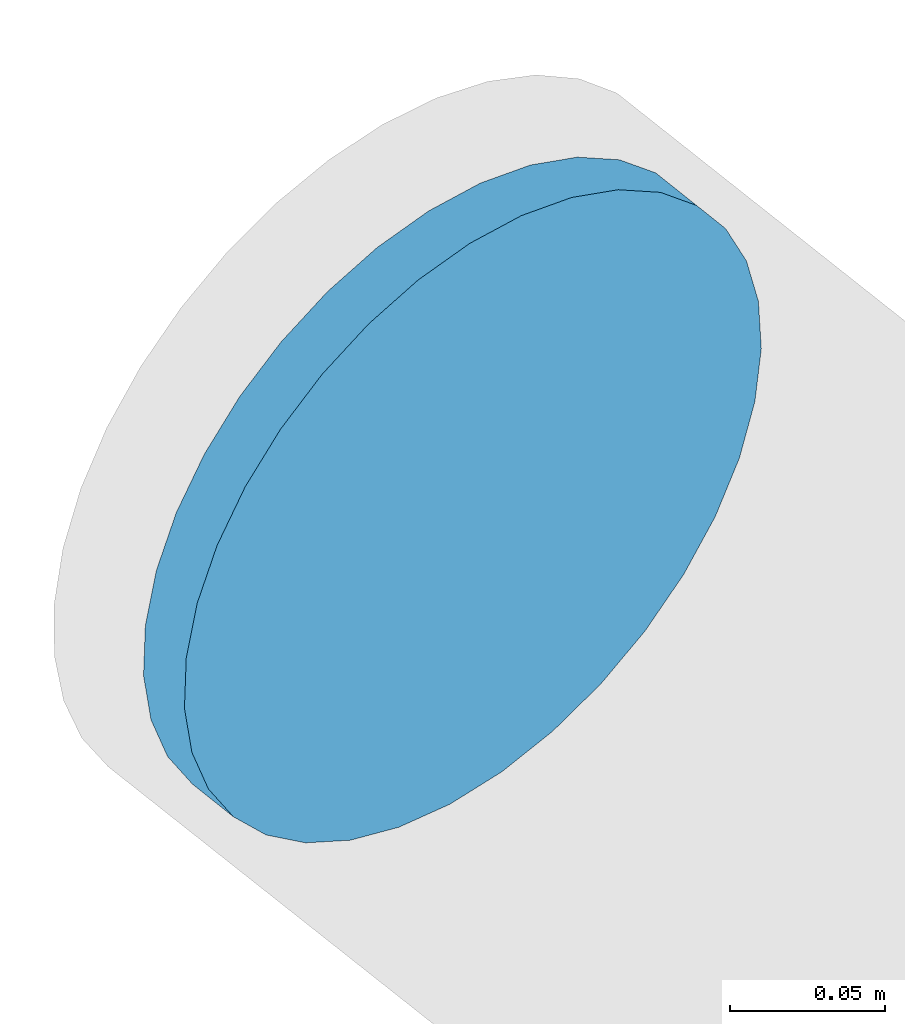
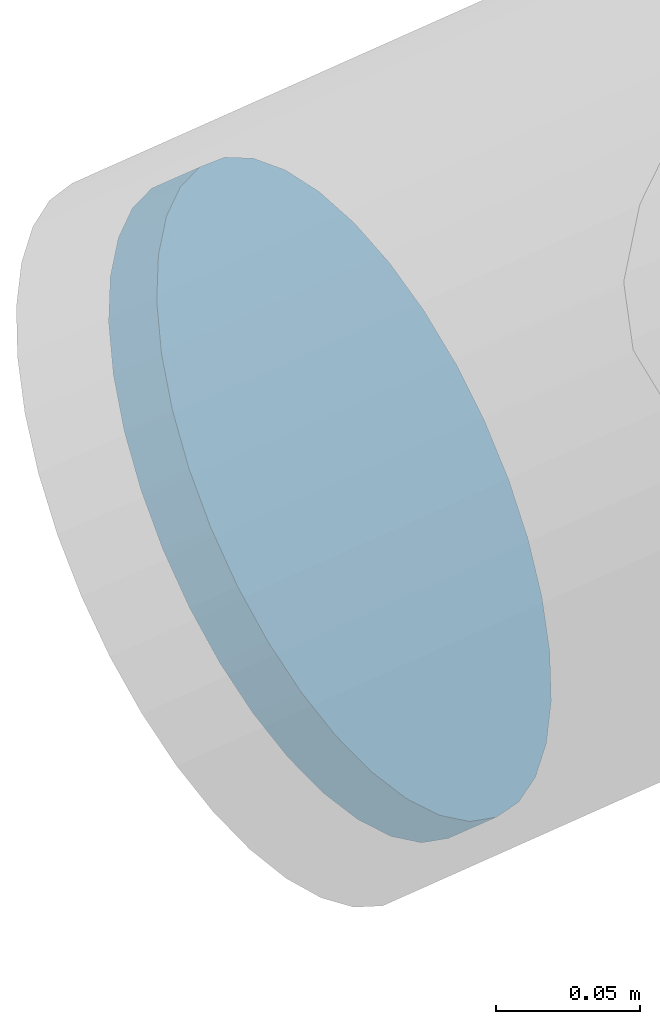
# One storey, part 33 of 42: 1 discrete accessory.
"""IFC4 building model written with IfcOpenShell, lengths in metres."""

from ifc_helpers import new_model, si_unit, direction, frame, origin, origin_2d, place, context, subcontext, project, spatial, circle, extrude, material, material_profile, profile_set, type_object, element, save


model = new_model("IFC4")

# Units and contexts
model_context = context("Model", 3, precision=1e-05, world=origin(), true_north=direction((0.0, 1.0)))
body_context = subcontext(model_context, "Body", "Model", "MODEL_VIEW")
ifc_project = project(units=[si_unit("LENGTHUNIT", "METRE"), si_unit("AREAUNIT", "SQUARE_METRE"), si_unit("VOLUMEUNIT", "CUBIC_METRE"), si_unit("PLANEANGLEUNIT", "RADIAN"), si_unit("MASSUNIT", "GRAM", prefix="KILO")], contexts=[model_context])

# Site, building, storey
site_placement = place(None, origin())
site = spatial("IfcSite", under=ifc_project, at=site_placement, CompositionType="ELEMENT")
building_placement = place(site_placement, origin())
building = spatial("IfcBuilding", under=site, at=building_placement, Name="Rimbun Link Towers", CompositionType="ELEMENT")
storey_placement = place(building_placement, frame((0.0, 0.0, 85.39990234375)))
storey = spatial("IfcBuildingStorey", under=building, at=storey_placement, Name="L20", CompositionType="ELEMENT", Elevation=85.39990234375)

# Discrete accessory
ifc_material = material(Name="Steel S355J2H", Category="steel")
ifc_material_profile = material_profile(ifc_material, circle(Radius=0.1240234375, at=origin_2d()), Name="PL D248")
ifc_profile_set = profile_set([ifc_material_profile], Name="Steel S355J2H")
discrete_accessory_type = type_object("IfcDiscreteAccessoryType", Name="Link foot sealing plate D248X20", PredefinedType="BRACKET", material=ifc_profile_set)
discrete_accessory_placement = place(storey_placement, frame((7.66650390625, -4.146484375, -2.58642578125), z_axis=(-0.659665772572, 0.525289411492, -0.537505444318), x_axis=(-0.62292678177, -0.782280144548, 0.0)))
element("IfcDiscreteAccessory", 1, at=discrete_accessory_placement, inside=storey, type_object=discrete_accessory_type, Name="Link foot sealing plate T2 L20 10", PredefinedType="BRACKET", context=body_context, shape_type="SweptSolid", body=[
    extrude(circle(Radius=0.1240234375, at=origin_2d()), origin(), (0.0, 0.0, 1.0), 0.02001953125),
])

save(model, "model.ifc")
